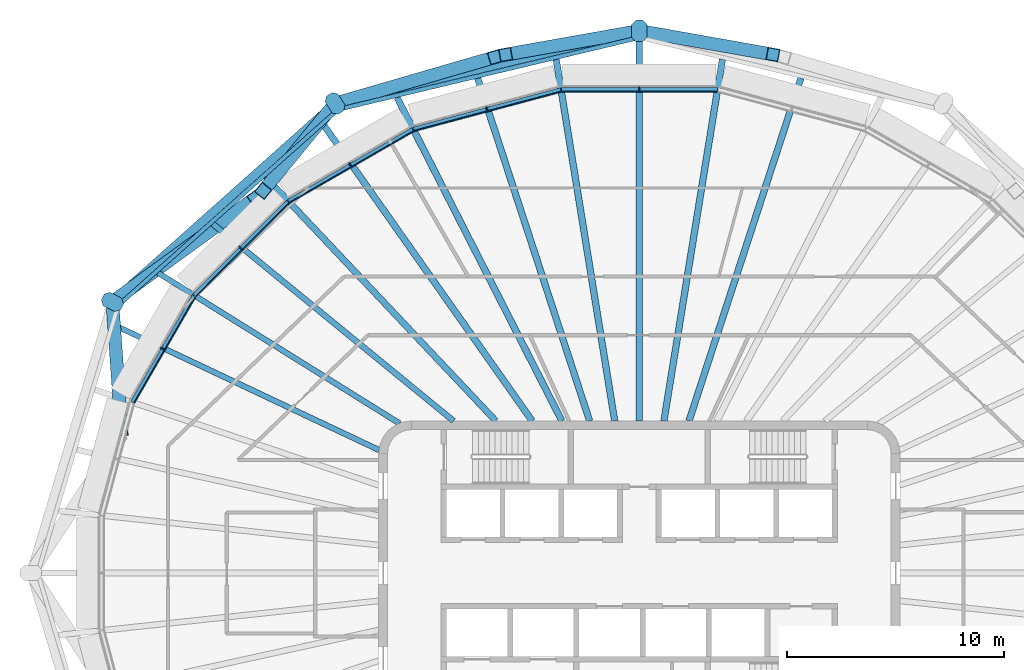
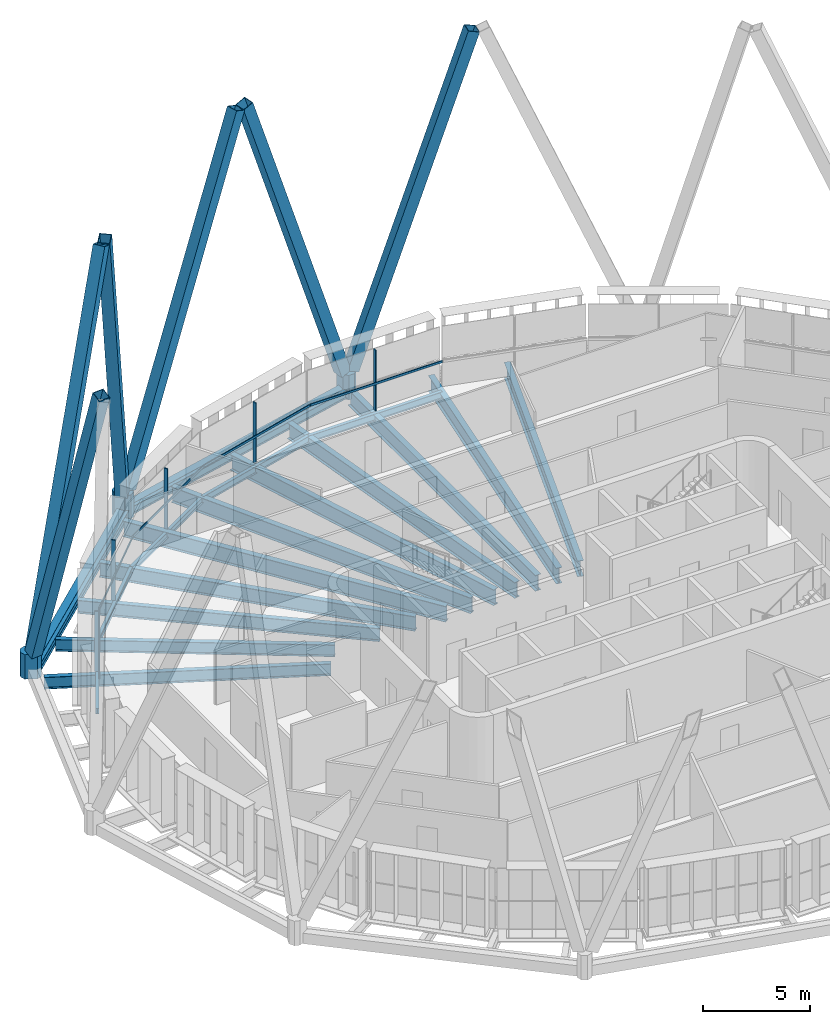
# One storey, part 5 of 18: 20 beams, 19 members, 5 elements without a shape of their own.
"""IFC4 building model written with IfcOpenShell, lengths in metres."""

from ifc_helpers import new_model, si_unit, direction, frame, origin, origin_2d, place, context, subcontext, project, spatial, polyline, rectangle, hollow_rectangle, i_section, outline, extrude, material, layer, layer_set, material_profile, profile_set, type_object, element, aggregate, save


model = new_model("IFC4")

# Units and contexts
model_context = context("Model", 3, precision=1e-05, world=origin(), true_north=direction((0.0, 1.0)))
body_context = subcontext(model_context, "Body", "Model", "MODEL_VIEW")
ifc_project = project(units=[si_unit("LENGTHUNIT", "METRE"), si_unit("AREAUNIT", "SQUARE_METRE"), si_unit("VOLUMEUNIT", "CUBIC_METRE"), si_unit("PLANEANGLEUNIT", "RADIAN"), si_unit("MASSUNIT", "GRAM", prefix="KILO")], contexts=[model_context])

# Site, building, storey
site_placement = place(None, origin())
site = spatial("IfcSite", under=ifc_project, at=site_placement, CompositionType="ELEMENT")
building_placement = place(site_placement, origin())
building = spatial("IfcBuilding", under=site, at=building_placement, Name="Sahrelin Media Tower", CompositionType="ELEMENT")
storey_placement = place(building_placement, frame((0.0, 0.0, 316.39990234375)))
storey = spatial("IfcBuildingStorey", under=building, at=storey_placement, Name="L70", CompositionType="ELEMENT", Elevation=316.39990234375)

# Members
ifc_material_1 = material(Name="Steel S460", Category="steel")
ifc_material_profile_1 = material_profile(ifc_material_1, hollow_rectangle(XDim=0.60009765625, YDim=0.60009765625, WallThickness=0.030029296875, at=origin_2d()), Name="Diagrid diagonal DG9")
ifc_profile_set_1 = profile_set([ifc_material_profile_1], Name="Steel S460")
member_type_1 = type_object("IfcMemberType", Name="Diagrid diagonal DG9", PredefinedType="BRACE", material=ifc_profile_set_1)
for number, where, z_axis, x_axis, name in (
    (1, (0.23046875, 24.92138671875, 0.7001953125), (0.312151916083, -0.055339880614, 0.948419041827), (0.174563054496, 0.984645997303, 0.0), "Diagrid diagonal D16-05"),
    (2, (-0.23046875, 24.92138671875, 0.7001953125), (-0.312151916083, -0.055339880614, 0.948419041827), (0.174563054496, -0.984645997303, 0.0), "Diagrid diagonal D16-06"),
):
    element("IfcMember", number, at=place(storey_placement, frame(where, z_axis=z_axis, x_axis=x_axis)), inside=storey, type_object=member_type_1, Name=name, PredefinedType="BRACE", context=body_context, shape_type="SweptSolid", body=[
        extrude(hollow_rectangle(XDim=0.60009765625, YDim=0.60009765625, WallThickness=0.030029296875, at=origin_2d()), origin(), (0.0, 0.0, 1.0), 18.97900390625),
    ])
member_1_placement = place(storey_placement, frame((-13.7333984375, 21.697509765625, 0.7001953125), z_axis=(0.363679356396, 0.10556003272, 0.925523854487), x_axis=(-0.278751022186, 0.960363403942, 0.0)))
element("IfcMember", 3, at=member_1_placement, inside=storey, type_object=member_type_1, Name="Diagrid diagonal D16-07", PredefinedType="BRACE", context=body_context, shape_type="SweptSolid", body=[
    extrude(hollow_rectangle(XDim=0.60009765625, YDim=0.60009765625, WallThickness=0.030029296875, at=origin_2d()), origin(), (0.0, 0.0, 1.0), 19.448486328125),
])
member_2_placement = place(storey_placement, frame((-14.13232421875, 21.46728515625, 0.7001953125), z_axis=(-0.170636757802, -0.207207376875, 0.963300679879), x_axis=(0.771938665879, -0.635697015977, 0.0)))
element("IfcMember", 4, at=member_2_placement, inside=storey, type_object=member_type_1, Name="Diagrid diagonal D16-08", PredefinedType="BRACE", context=body_context, shape_type="SweptSolid", body=[
    extrude(hollow_rectangle(XDim=0.60009765625, YDim=0.60009765625, WallThickness=0.030029296875, at=origin_2d()), origin(), (0.0, 0.0, 1.0), 18.685791015625),
])
member_3_placement = place(storey_placement, frame((-24.01708984375, 12.66015625, 0.7001953125), z_axis=(0.322314038724, 0.234657855068, 0.917087428491), x_axis=(-0.588577891078, 0.808440514901, 0.0)))
element("IfcMember", 5, at=member_3_placement, inside=storey, type_object=member_type_1, Name="Diagrid diagonal D16-09", PredefinedType="BRACE", context=body_context, shape_type="SweptSolid", body=[
    extrude(hollow_rectangle(XDim=0.60009765625, YDim=0.60009765625, WallThickness=0.030029296875, at=origin_2d()), origin(), (0.0, 0.0, 1.0), 19.62744140625),
])
member_4_placement = place(storey_placement, frame((-24.24755859375, 12.260986328125, 0.7001953125), z_axis=(0.021293837719, -0.29969200765, 0.953798339811), x_axis=(0.997485295429, 0.07087372858, 0.0)))
element("IfcMember", 6, at=member_4_placement, inside=storey, type_object=member_type_1, Name="Diagrid diagonal D16-10", PredefinedType="BRACE", context=body_context, shape_type="SweptSolid", body=[
    extrude(hollow_rectangle(XDim=0.60009765625, YDim=0.60009765625, WallThickness=0.030029296875, at=origin_2d()), origin(), (0.0, 0.0, 1.0), 18.871826171875),
])
ifc_material_profile_2 = material_profile(ifc_material_1, outline(polyline([(0.300048828125, -0.35009765625), (0.5, -0.14990234375), (0.5, 0.14990234375), (0.300048828125, 0.35009765625), (-0.300048828125, 0.35009765625), (-0.5, 0.14990234375), (-0.5, -0.14990234375), (-0.300048828125, -0.35009765625), (0.300048828125, -0.35009765625)])), Name="Diagrid node block 1000")
ifc_profile_set_2 = profile_set([ifc_material_profile_2], Name="Steel S460")
member_type_2 = type_object("IfcMemberType", Name="Diagrid node block 1000", PredefinedType="USERDEFINED", material=ifc_profile_set_2)
for number, where, z_axis, x_axis, name in (
    (7, (0.0, 24.962158203125, -0.699951171875), (0.0, 0.0, 1.0), (0.0, 1.0, 0.0), "Diagrid node N16-03"),
    (8, (-14.00830078125, 21.617919921875, -0.699951171875), (0.0, 0.0, 1.0), (-0.543810283352, 0.839208183778, 0.0), "Diagrid node N16-04"),
    (9, (-24.26318359375, 12.481201171875, -0.699951171875), (0.0, 0.0, 1.0), (-0.889244786604, 0.457431644618, 0.0), "Diagrid node N16-05"),
):
    element("IfcMember", number, at=place(storey_placement, frame(where, z_axis=z_axis, x_axis=x_axis)), inside=storey, type_object=member_type_2, Name=name, ObjectType="NODE", PredefinedType="USERDEFINED", context=body_context, shape_type="SweptSolid", body=[
        extrude(outline(polyline([(0.300048828125, -0.35009765625), (0.5, -0.14990234375), (0.5, 0.14990234375), (0.300048828125, 0.35009765625), (-0.300048828125, 0.35009765625), (-0.5, 0.14990234375), (-0.5, -0.14990234375), (-0.300048828125, -0.35009765625), (0.300048828125, -0.35009765625)])), origin(), (0.0, 0.0, 1.0), 1.400146484375),
    ])

# Beams
ifc_material_profile_3 = material_profile(ifc_material_1, hollow_rectangle(XDim=0.39990234375, YDim=0.60009765625, WallThickness=0.030029296875, at=origin_2d()), Name="Diagrid ring beam RB1")
ifc_profile_set_3 = profile_set([ifc_material_profile_3], Name="Steel S460")
beam_type_1 = type_object("IfcBeamType", Name="Diagrid ring beam RB1", PredefinedType="BEAM", material=ifc_profile_set_3)
beam_1_placement = place(storey_placement, frame((0.0, 24.962158203125, -0.449951171875), z_axis=(-0.972666348259, -0.232207181123, 0.0), x_axis=(0.232207181123, -0.972666348259, 0.0)))
element("IfcBeam", 10, at=beam_1_placement, inside=storey, type_object=beam_type_1, Name="Diagrid ring beam RB16-03", PredefinedType="BEAM", context=body_context, shape_type="SweptSolid", body=[
    extrude(hollow_rectangle(XDim=0.39990234375, YDim=0.60009765625, WallThickness=0.030029296875, at=origin_2d()), origin(), (0.0, 0.0, 1.0), 14.40185546875),
])
beam_2_placement = place(storey_placement, frame((-14.00830078125, 21.617919921875, -0.449951171875), z_axis=(-0.74663993806, -0.66522838401, 0.0), x_axis=(0.66522838401, -0.74663993806, 0.0)))
element("IfcBeam", 11, at=beam_2_placement, inside=storey, type_object=beam_type_1, Name="Diagrid ring beam RB16-04", PredefinedType="BEAM", context=body_context, shape_type="SweptSolid", body=[
    extrude(hollow_rectangle(XDim=0.39990234375, YDim=0.60009765625, WallThickness=0.030029296875, at=origin_2d()), origin(), (0.0, 0.0, 1.0), 13.734619140625),
])
ifc_material_2 = material(Name="Steel S355", Category="steel")
ifc_material_profile_4 = material_profile(ifc_material_2, i_section(OverallWidth=0.1650390625, OverallDepth=0.303466796875, WebThickness=0.006103515625, FlangeThickness=0.01025390625, FilletRadius=0.0087890625, at=origin_2d()), Name="UB 305x165x40")
ifc_profile_set_4 = profile_set([ifc_material_profile_4], Name="Steel S355")
beam_type_2 = type_object("IfcBeamType", Name="Edge beam EB2", PredefinedType="BEAM", material=ifc_profile_set_4)
beam_3_placement = place(storey_placement, frame((-23.345947265625, 7.863037109375, -0.301513671875), z_axis=(0.500010103361, 0.866019570528, 0.0), x_axis=(-0.866019570528, 0.500010103361, 0.0)))
element("IfcBeam", 12, at=beam_3_placement, inside=storey, type_object=beam_type_2, Name="Edge beam L70-15", PredefinedType="BEAM", context=body_context, shape_type="SweptSolid", body=[
    extrude(i_section(OverallWidth=0.1650390625, OverallDepth=0.303466796875, WebThickness=0.006103515625, FlangeThickness=0.01025390625, FilletRadius=0.0087890625, at=origin_2d()), origin(), (0.0, 0.0, 1.0), 5.6572265625),
])
ifc_material_profile_5 = material_profile(ifc_material_2, i_section(OverallWidth=0.17138671875, OverallDepth=0.35498046875, WebThickness=0.00732421875, FlangeThickness=0.011474609375, FilletRadius=0.01025390625, at=origin_2d()), Name="UB 356x171x51")
ifc_profile_set_5 = profile_set([ifc_material_profile_5], Name="Steel S355")
beam_type_3 = type_object("IfcBeamType", Name="Edge beam EB3", PredefinedType="BEAM", material=ifc_profile_set_5)
beam_4_placement = place(storey_placement, frame((-20.499755859375, 12.784912109375, -0.327392578125), z_axis=(0.707086785237, 0.707126776571, 0.0), x_axis=(-0.707126776571, 0.707086785237, 0.0)))
element("IfcBeam", 13, at=beam_4_placement, inside=storey, type_object=beam_type_3, Name="Edge beam L70-16", PredefinedType="BEAM", context=body_context, shape_type="SweptSolid", body=[
    extrude(i_section(OverallWidth=0.17138671875, OverallDepth=0.35498046875, WebThickness=0.00732421875, FlangeThickness=0.011474609375, FilletRadius=0.01025390625, at=origin_2d()), origin(), (0.0, 0.0, 1.0), 6.104736328125),
])
beam_5_placement = place(storey_placement, frame((-16.16015625, 17.119384765625, -0.327392578125), z_axis=(0.86602569981, 0.499999487269, 0.0), x_axis=(-0.499999487269, 0.86602569981, 0.0)))
element("IfcBeam", 14, at=beam_5_placement, inside=storey, type_object=beam_type_3, Name="Edge beam L70-17", PredefinedType="BEAM", context=body_context, shape_type="SweptSolid", body=[
    extrude(i_section(OverallWidth=0.17138671875, OverallDepth=0.35498046875, WebThickness=0.00732421875, FlangeThickness=0.011474609375, FilletRadius=0.01025390625, at=origin_2d()), origin(), (0.0, 0.0, 1.0), 6.611328125),
])
ifc_material_profile_6 = material_profile(ifc_material_2, i_section(OverallWidth=0.177978515625, OverallDepth=0.406494140625, WebThickness=0.0078125, FlangeThickness=0.0126953125, FilletRadius=0.01025390625, at=origin_2d()), Name="UB 406x178x60")
ifc_profile_set_6 = profile_set([ifc_material_profile_6], Name="Steel S355")
beam_type_4 = type_object("IfcBeamType", Name="Edge beam EB4", PredefinedType="BEAM", material=ifc_profile_set_6)
beam_6_placement = place(storey_placement, frame((-10.407958984375, 20.43603515625, -0.35302734375), z_axis=(0.965922766368, 0.258830464613, 0.0), x_axis=(-0.258830464613, 0.965922766368, 0.0)))
element("IfcBeam", 15, at=beam_6_placement, inside=storey, type_object=beam_type_4, Name="Edge beam L70-18", PredefinedType="BEAM", context=body_context, shape_type="SweptSolid", body=[
    extrude(i_section(OverallWidth=0.177978515625, OverallDepth=0.406494140625, WebThickness=0.0078125, FlangeThickness=0.0126953125, FilletRadius=0.01025390625, at=origin_2d()), origin(), (0.0, 0.0, 1.0), 7.025390625),
])
beam_7_placement = place(storey_placement, frame((-3.593505859375, 22.258056640625, -0.35302734375), z_axis=(1.0, 0.0, 0.0), x_axis=(0.0, 1.0, 0.0)))
element("IfcBeam", 16, at=beam_7_placement, inside=storey, type_object=beam_type_4, Name="Edge beam L70-19", PredefinedType="BEAM", context=body_context, shape_type="SweptSolid", body=[
    extrude(i_section(OverallWidth=0.177978515625, OverallDepth=0.406494140625, WebThickness=0.0078125, FlangeThickness=0.0126953125, FilletRadius=0.01025390625, at=origin_2d()), origin(), (0.0, 0.0, 1.0), 7.18701171875),
])

# Curtain wall, member
ifc_material_3 = material(Name="Champagne anodised aluminium 6063-T6", Category="aluminium")
ifc_layer = layer(ifc_material_3, 0.14990234375)
ifc_layer_set = layer_set([ifc_layer], Name="Tower ribbon curtain wall")
curtain_wall_type = type_object("IfcCurtainWallType", Name="Tower ribbon curtain wall", PredefinedType="NOTDEFINED", material=ifc_layer_set)
curtain_wall_1_placement = place(storey_placement, frame((0.0, 22.408203125, 0.0), z_axis=(0.0, 0.0, 1.0), x_axis=(1.0, 0.0, 0.0)))
curtain_wall_1 = element("IfcCurtainWall", 17, at=curtain_wall_1_placement, inside=storey, type_object=curtain_wall_type, Name="L70:CW:L70-06", PredefinedType="NOTDEFINED")
ifc_material_profile_7 = material_profile(ifc_material_3, rectangle(XDim=0.06005859375, YDim=0.199951171875, at=origin_2d()), Name="Mullion 60x200")
ifc_profile_set_7 = profile_set([ifc_material_profile_7], Name="Champagne anodised aluminium 6063-T6")
member_type_3 = type_object("IfcMemberType", Name="Mullion 60x200 CW1C", PredefinedType="MULLION", material=ifc_profile_set_7)
member_5_placement = place(storey_placement, frame((0.0, 22.2880859375, 0.0), z_axis=(0.0, 0.0, 1.0), x_axis=(-1.0, 0.0, 0.0)))
member_5 = element("IfcMember", 18, at=member_5_placement, type_object=member_type_3, Name="L70:CWM:L70-06", PredefinedType="MULLION", context=body_context, shape_type="SweptSolid", body=[
    extrude(rectangle(XDim=0.06005859375, YDim=0.199951171875, at=origin_2d()), origin(), (0.0, 0.0, 1.0), 3.44873046875),
])

curtain_wall_2_placement = place(storey_placement, frame((-7.0537109375, 21.489990234375, 0.0), z_axis=(0.0, 0.0, 1.0), x_axis=(1.0, 0.0, 0.0)))
curtain_wall_2 = element("IfcCurtainWall", 19, at=curtain_wall_2_placement, inside=storey, type_object=curtain_wall_type, Name="L70:CW:L70-07", PredefinedType="NOTDEFINED")
member_6_placement = place(storey_placement, frame((-7.022705078125, 21.374267578125, 0.0), z_axis=(0.0, 0.0, 1.0), x_axis=(-0.965926278012, -0.258817359244, 0.0)))
member_6 = element("IfcMember", 20, at=member_6_placement, type_object=member_type_3, Name="L70:CWM:L70-07", PredefinedType="MULLION", context=body_context, shape_type="SweptSolid", body=[
    extrude(rectangle(XDim=0.06005859375, YDim=0.199951171875, at=origin_2d()), origin(), (0.0, 0.0, 1.0), 3.44873046875),
])

curtain_wall_3_placement = place(storey_placement, frame((-13.372314453125, 18.902099609375, 0.0), z_axis=(0.0, 0.0, 1.0), x_axis=(1.0, 0.0, 0.0)))
curtain_wall_3 = element("IfcCurtainWall", 21, at=curtain_wall_3_placement, inside=storey, type_object=curtain_wall_type, Name="L70:CW:L70-08", PredefinedType="NOTDEFINED")
member_7_placement = place(storey_placement, frame((-13.312255859375, 18.798095703125, 0.0), z_axis=(0.0, 0.0, 1.0), x_axis=(-0.86602365845, -0.500003022996, 0.0)))
member_7 = element("IfcMember", 22, at=member_7_placement, type_object=member_type_3, Name="L70:CWM:L70-08", PredefinedType="MULLION", context=body_context, shape_type="SweptSolid", body=[
    extrude(rectangle(XDim=0.06005859375, YDim=0.199951171875, at=origin_2d()), origin(), (0.0, 0.0, 1.0), 3.44873046875),
])

curtain_wall_4_placement = place(storey_placement, frame((-18.447509765625, 15.049560546875, 0.0), z_axis=(0.0, 0.0, 1.0), x_axis=(1.0, 0.0, 0.0)))
curtain_wall_4 = element("IfcCurtainWall", 23, at=curtain_wall_4_placement, inside=storey, type_object=curtain_wall_type, Name="L70:CW:L70-09", PredefinedType="NOTDEFINED")
member_8_placement = place(storey_placement, frame((-18.362548828125, 14.964599609375, 0.0), z_axis=(0.0, 0.0, 1.0), x_axis=(-0.707106781187, -0.707106781187, 0.0)))
member_8 = element("IfcMember", 24, at=member_8_placement, type_object=member_type_3, Name="L70:CWM:L70-09", PredefinedType="MULLION", context=body_context, shape_type="SweptSolid", body=[
    extrude(rectangle(XDim=0.06005859375, YDim=0.199951171875, at=origin_2d()), origin(), (0.0, 0.0, 1.0), 3.44873046875),
])

curtain_wall_5_placement = place(storey_placement, frame((-22.0615234375, 10.387451171875, 0.0), z_axis=(0.0, 0.0, 1.0), x_axis=(1.0, 0.0, 0.0)))
curtain_wall_5 = element("IfcCurtainWall", 25, at=curtain_wall_5_placement, inside=storey, type_object=curtain_wall_type, Name="L70:CW:L70-10", PredefinedType="NOTDEFINED")
member_9_placement = place(storey_placement, frame((-21.95751953125, 10.327392578125, 0.0), z_axis=(0.0, 0.0, 1.0), x_axis=(-0.500001511499, -0.866024531118, 0.0)))
member_9 = element("IfcMember", 26, at=member_9_placement, type_object=member_type_3, Name="L70:CWM:L70-10", PredefinedType="MULLION", context=body_context, shape_type="SweptSolid", body=[
    extrude(rectangle(XDim=0.06005859375, YDim=0.199951171875, at=origin_2d()), origin(), (0.0, 0.0, 1.0), 3.44873046875),
])

# Beams
ifc_material_profile_8 = material_profile(ifc_material_2, i_section(OverallWidth=0.291748046875, OverallDepth=0.8349609375, WebThickness=0.013916015625, FlangeThickness=0.018798828125, FilletRadius=0.017822265625, at=origin_2d()), Name="UB 838x292x176")
ifc_profile_set_8 = profile_set([ifc_material_profile_8], Name="Steel S355")
beam_type_5 = type_object("IfcBeamType", Name="Radial primary beam PB10", PredefinedType="BEAM", material=ifc_profile_set_8)
beam_8_placement = place(storey_placement, frame((-6.607177734375, 7.0, -0.5673828125), z_axis=(-0.686402151296, 0.727222171483, 0.0), x_axis=(-0.727222171483, -0.686402151296, 0.0)))
element("IfcBeam", 27, at=beam_8_placement, inside=storey, type_object=beam_type_5, Name="Radial beam L70-09", PredefinedType="BEAM", context=body_context, shape_type="SweptSolid", body=[
    extrude(i_section(OverallWidth=0.291748046875, OverallDepth=0.8349609375, WebThickness=0.013916015625, FlangeThickness=0.018798828125, FilletRadius=0.017822265625, at=origin_2d()), origin(), (0.0, 0.0, 1.0), 15.44873046875),
])
ifc_material_profile_9 = material_profile(ifc_material_2, i_section(OverallWidth=0.30322265625, OverallDepth=0.903076171875, WebThickness=0.01513671875, FlangeThickness=0.020263671875, FilletRadius=0.01904296875, at=origin_2d()), Name="UB 914x305x201")
ifc_profile_set_9 = profile_set([ifc_material_profile_9], Name="Steel S355")
beam_type_6 = type_object("IfcBeamType", Name="Radial primary beam PB11", PredefinedType="BEAM", material=ifc_profile_set_9)
for number, where, z_axis, x_axis, name in (
    (28, (1.13330078125, 7.0, -0.601318359375), (0.1598061007, 0.987148423581, 0.0), (-0.987148423581, 0.1598061007, 0.0), "Radial beam L70-06"),
    (29, (-1.13330078125, 7.0, -0.601318359375), (-0.1598061007, 0.987148423581, 0.0), (-0.987148423581, -0.1598061007, 0.0), "Radial beam L70-07"),
):
    element("IfcBeam", number, at=place(storey_placement, frame(where, z_axis=z_axis, x_axis=x_axis)), inside=storey, type_object=beam_type_6, Name=name, PredefinedType="BEAM", context=body_context, shape_type="SweptSolid", body=[
        extrude(i_section(OverallWidth=0.30322265625, OverallDepth=0.903076171875, WebThickness=0.01513671875, FlangeThickness=0.020263671875, FilletRadius=0.01904296875, at=origin_2d()), origin(), (0.0, 0.0, 1.0), 16.8583984375),
    ])
beam_9_placement = place(storey_placement, frame((-3.56591796875, 7.0, -0.601318359375), z_axis=(-0.453908495023, 0.891048302925, 0.0), x_axis=(-0.891048302925, -0.453908495023, 0.0)))
element("IfcBeam", 30, at=beam_9_placement, inside=storey, type_object=beam_type_6, Name="Radial beam L70-08", PredefinedType="BEAM", context=body_context, shape_type="SweptSolid", body=[
    extrude(i_section(OverallWidth=0.30322265625, OverallDepth=0.903076171875, WebThickness=0.01513671875, FlangeThickness=0.020263671875, FilletRadius=0.01904296875, at=origin_2d()), origin(), (0.0, 0.0, 1.0), 16.714111328125),
])
ifc_material_profile_10 = material_profile(ifc_material_2, i_section(OverallWidth=0.2529296875, OverallDepth=0.677978515625, WebThickness=0.01171875, FlangeThickness=0.01611328125, FilletRadius=0.01513671875, at=origin_2d()), Name="UB 686x254x125")
ifc_profile_set_10 = profile_set([ifc_material_profile_10], Name="Steel S355")
beam_type_7 = type_object("IfcBeamType", Name="Radial primary beam PB8", PredefinedType="BEAM", material=ifc_profile_set_10)
beam_10_placement = place(storey_placement, frame((-11.040283203125, 6.8857421875, -0.489013671875), z_axis=(-0.848498069324, 0.529198475389, 0.0), x_axis=(-0.529198475389, -0.848498069324, 0.0)))
element("IfcBeam", 31, at=beam_10_placement, inside=storey, type_object=beam_type_7, Name="Radial beam L70-10", PredefinedType="BEAM", context=body_context, shape_type="SweptSolid", body=[
    extrude(i_section(OverallWidth=0.2529296875, OverallDepth=0.677978515625, WebThickness=0.01171875, FlangeThickness=0.01611328125, FilletRadius=0.01513671875, at=origin_2d()), origin(), (0.0, 0.0, 1.0), 13.108642578125),
])
ifc_material_profile_11 = material_profile(ifc_material_2, i_section(OverallWidth=0.30322265625, OverallDepth=0.903076171875, WebThickness=0.01513671875, FlangeThickness=0.020263671875, FilletRadius=0.01904296875, at=origin_2d()), Name="UB 914x305x201")
ifc_profile_set_11 = profile_set([ifc_material_profile_11], Name="Steel S355")
beam_type_8 = type_object("IfcBeamType", Name="Radial secondary beam SB11", PredefinedType="BEAM", material=ifc_profile_set_11)
beam_11_placement = place(storey_placement, frame((2.287353515625, 7.0, -0.601318359375), z_axis=(0.310596523093, 0.950541845393, 0.0), x_axis=(-0.950541845393, 0.310596523093, 0.0)))
element("IfcBeam", 32, at=beam_11_placement, inside=storey, type_object=beam_type_8, Name="Secondary beam L70-05", PredefinedType="BEAM", context=body_context, shape_type="SweptSolid", body=[
    extrude(i_section(OverallWidth=0.30322265625, OverallDepth=0.903076171875, WebThickness=0.01513671875, FlangeThickness=0.020263671875, FilletRadius=0.01904296875, at=origin_2d()), origin(), (0.0, 0.0, 1.0), 16.599609375),
])
beam_12_placement = place(storey_placement, frame((0.0, 7.0, -0.601318359375), z_axis=(0.0, 1.0, 0.0), x_axis=(-1.0, 0.0, 0.0)))
element("IfcBeam", 33, at=beam_12_placement, inside=storey, type_object=beam_type_8, Name="Secondary beam L70-06", PredefinedType="BEAM", context=body_context, shape_type="SweptSolid", body=[
    extrude(i_section(OverallWidth=0.30322265625, OverallDepth=0.903076171875, WebThickness=0.01513671875, FlangeThickness=0.020263671875, FilletRadius=0.01904296875, at=origin_2d()), origin(), (0.0, 0.0, 1.0), 17.5556640625),
])
beam_13_placement = place(storey_placement, frame((-2.287353515625, 7.0, -0.601318359375), z_axis=(-0.310596523093, 0.950541845393, 0.0), x_axis=(-0.950541845393, -0.310596523093, 0.0)))
element("IfcBeam", 34, at=beam_13_placement, inside=storey, type_object=beam_type_8, Name="Secondary beam L70-07", PredefinedType="BEAM", context=body_context, shape_type="SweptSolid", body=[
    extrude(i_section(OverallWidth=0.30322265625, OverallDepth=0.903076171875, WebThickness=0.01513671875, FlangeThickness=0.020263671875, FilletRadius=0.01904296875, at=origin_2d()), origin(), (0.0, 0.0, 1.0), 16.599609375),
])
beam_14_placement = place(storey_placement, frame((-4.9326171875, 7.0, -0.601318359375), z_axis=(-0.57600715637, 0.817444649998, 0.0), x_axis=(-0.817444649998, -0.57600715637, 0.0)))
element("IfcBeam", 35, at=beam_14_placement, inside=storey, type_object=beam_type_8, Name="Secondary beam L70-08", PredefinedType="BEAM", context=body_context, shape_type="SweptSolid", body=[
    extrude(i_section(OverallWidth=0.30322265625, OverallDepth=0.903076171875, WebThickness=0.01513671875, FlangeThickness=0.020263671875, FilletRadius=0.01904296875, at=origin_2d()), origin(), (0.0, 0.0, 1.0), 16.66455078125),
])
ifc_material_profile_12 = material_profile(ifc_material_2, i_section(OverallWidth=0.2529296875, OverallDepth=0.677978515625, WebThickness=0.01171875, FlangeThickness=0.01611328125, FilletRadius=0.01513671875, at=origin_2d()), Name="UB 686x254x125")
ifc_profile_set_12 = profile_set([ifc_material_profile_12], Name="Steel S355")
beam_type_9 = type_object("IfcBeamType", Name="Radial secondary beam SB8", PredefinedType="BEAM", material=ifc_profile_set_12)
beam_15_placement = place(storey_placement, frame((-11.979248046875, 5.656982421875, -0.489013671875), z_axis=(-0.904247481471, 0.42700877304, 0.0), x_axis=(-0.42700877304, -0.904247481471, 0.0)))
element("IfcBeam", 36, at=beam_15_placement, inside=storey, type_object=beam_type_9, Name="Secondary beam L70-10", PredefinedType="BEAM", context=body_context, shape_type="SweptSolid", body=[
    extrude(i_section(OverallWidth=0.2529296875, OverallDepth=0.677978515625, WebThickness=0.01171875, FlangeThickness=0.01611328125, FilletRadius=0.01513671875, at=origin_2d()), origin(), (0.0, 0.0, 1.0), 13.48291015625),
])
ifc_material_profile_13 = material_profile(ifc_material_2, i_section(OverallWidth=0.26513671875, OverallDepth=0.75390625, WebThickness=0.0126953125, FlangeThickness=0.017578125, FilletRadius=0.0166015625, at=origin_2d()), Name="UB 762x267x147")
ifc_profile_set_13 = profile_set([ifc_material_profile_13], Name="Steel S355")
beam_type_10 = type_object("IfcBeamType", Name="Radial secondary beam SB9", PredefinedType="BEAM", material=ifc_profile_set_13)
beam_16_placement = place(storey_placement, frame((-8.551513671875, 7.0, -0.52685546875), z_axis=(-0.773813005588, 0.633414108133, 0.0), x_axis=(-0.633414108133, -0.773813005588, 0.0)))
element("IfcBeam", 37, at=beam_16_placement, inside=storey, type_object=beam_type_10, Name="Secondary beam L70-09", PredefinedType="BEAM", context=body_context, shape_type="SweptSolid", body=[
    extrude(i_section(OverallWidth=0.26513671875, OverallDepth=0.75390625, WebThickness=0.0126953125, FlangeThickness=0.017578125, FilletRadius=0.0166015625, at=origin_2d()), origin(), (0.0, 0.0, 1.0), 14.3251953125),
])
ifc_material_profile_14 = material_profile(ifc_material_2, i_section(OverallWidth=0.1904296875, OverallDepth=0.45703125, WebThickness=0.009033203125, FlangeThickness=0.014404296875, FilletRadius=0.01025390625, at=origin_2d()), Name="UB 457x191x74")
ifc_profile_set_14 = profile_set([ifc_material_profile_14], Name="Steel S355")
beam_type_11 = type_object("IfcBeamType", Name="Tie chord TC5", PredefinedType="BEAM", material=ifc_profile_set_14)
beam_17_placement = place(storey_placement, frame((-24.000244140625, 12.3134765625, -0.37841796875), z_axis=(0.746643763591, 0.665224090281, 0.0), x_axis=(-0.665224090281, 0.746643763591, 0.0)))
element("IfcBeam", 38, at=beam_17_placement, inside=storey, type_object=beam_type_11, Name="Tie chord L70-08", PredefinedType="BEAM", context=body_context, shape_type="SweptSolid", body=[
    extrude(i_section(OverallWidth=0.1904296875, OverallDepth=0.45703125, WebThickness=0.009033203125, FlangeThickness=0.014404296875, FilletRadius=0.01025390625, at=origin_2d()), origin(), (0.0, 0.0, 1.0), 13.574462890625),
])
beam_18_placement = place(storey_placement, frame((-13.864990234375, 21.343505859375, -0.37841796875), z_axis=(0.972665821988, 0.232209385546, 0.0), x_axis=(-0.232209385546, 0.972665821988, 0.0)))
element("IfcBeam", 39, at=beam_18_placement, inside=storey, type_object=beam_type_11, Name="Tie chord L70-09", PredefinedType="BEAM", context=body_context, shape_type="SweptSolid", body=[
    extrude(i_section(OverallWidth=0.1904296875, OverallDepth=0.45703125, WebThickness=0.009033203125, FlangeThickness=0.014404296875, FilletRadius=0.01025390625, at=origin_2d()), origin(), (0.0, 0.0, 1.0), 14.254638671875),
])

# Member
ifc_material_profile_15 = material_profile(ifc_material_3, rectangle(XDim=0.050048828125, YDim=0.1201171875, at=origin_2d()), Name="Transom 50x120")
ifc_profile_set_15 = profile_set([ifc_material_profile_15], Name="Champagne anodised aluminium 6063-T6")
member_type_4 = type_object("IfcMemberType", Name="Transom 50x120 CW1C", PredefinedType="USERDEFINED", material=ifc_profile_set_15)
member_10_placement = place(storey_placement, frame((3.57763671875, 22.1630859375, 1.60009765625), z_axis=(-1.0, 0.0, 0.0), x_axis=(0.0, -1.0, 0.0)))
member_10 = element("IfcMember", 40, at=member_10_placement, type_object=member_type_4, Name="L70:CWT:L70-06", ObjectType="TRANSOM", PredefinedType="USERDEFINED", context=body_context, shape_type="SweptSolid", body=[
    extrude(rectangle(XDim=0.050048828125, YDim=0.1201171875, at=origin_2d()), origin(), (0.0, 0.0, 1.0), 7.1552734375),
])

aggregate(curtain_wall_1, [member_5, member_10])

member_11_placement = place(storey_placement, frame((-3.612548828125, 22.158447265625, 1.60009765625), z_axis=(-0.965929509854, -0.258805297461, 0.0), x_axis=(0.258805297461, -0.965929509854, 0.0)))
member_11 = element("IfcMember", 41, at=member_11_placement, type_object=member_type_4, Name="L70:CWT:L70-07", ObjectType="TRANSOM", PredefinedType="USERDEFINED", context=body_context, shape_type="SweptSolid", body=[
    extrude(rectangle(XDim=0.050048828125, YDim=0.1201171875, at=origin_2d()), origin(), (0.0, 0.0, 1.0), 6.993896484375),
])

aggregate(curtain_wall_2, [member_6, member_11])

member_12_placement = place(storey_placement, frame((-10.400634765625, 20.3349609375, 1.60009765625), z_axis=(-0.866024321458, -0.50000187464, 0.0), x_axis=(0.50000187464, -0.866024321458, 0.0)))
member_12 = element("IfcMember", 42, at=member_12_placement, type_object=member_type_4, Name="L70:CWT:L70-08", ObjectType="TRANSOM", PredefinedType="USERDEFINED", context=body_context, shape_type="SweptSolid", body=[
    extrude(rectangle(XDim=0.050048828125, YDim=0.1201171875, at=origin_2d()), origin(), (0.0, 0.0, 1.0), 6.580078125),
])

aggregate(curtain_wall_3, [member_7, member_12])

member_13_placement = place(storey_placement, frame((-16.126953125, 17.0234375, 1.60009765625), z_axis=(-0.707106781187, -0.707106781187, 0.0), x_axis=(0.707106781187, -0.707106781187, 0.0)))
member_13 = element("IfcMember", 43, at=member_13_placement, type_object=member_type_4, Name="L70:CWT:L70-09", ObjectType="TRANSOM", PredefinedType="USERDEFINED", context=body_context, shape_type="SweptSolid", body=[
    extrude(rectangle(XDim=0.050048828125, YDim=0.1201171875, at=origin_2d()), origin(), (0.0, 0.0, 1.0), 6.0732421875),
])

aggregate(curtain_wall_4, [member_8, member_13])

member_14_placement = place(storey_placement, frame((-20.44287109375, 12.700927734375, 1.60009765625), z_axis=(-0.499999198584, -0.866025866482, 0.0), x_axis=(0.866025866482, -0.499999198584, 0.0)))
member_14 = element("IfcMember", 44, at=member_14_placement, type_object=member_type_4, Name="L70:CWT:L70-10", ObjectType="TRANSOM", PredefinedType="USERDEFINED", context=body_context, shape_type="SweptSolid", body=[
    extrude(rectangle(XDim=0.050048828125, YDim=0.1201171875, at=origin_2d()), origin(), (0.0, 0.0, 1.0), 5.62548828125),
])

aggregate(curtain_wall_5, [member_9, member_14])

save(model, "model.ifc")
